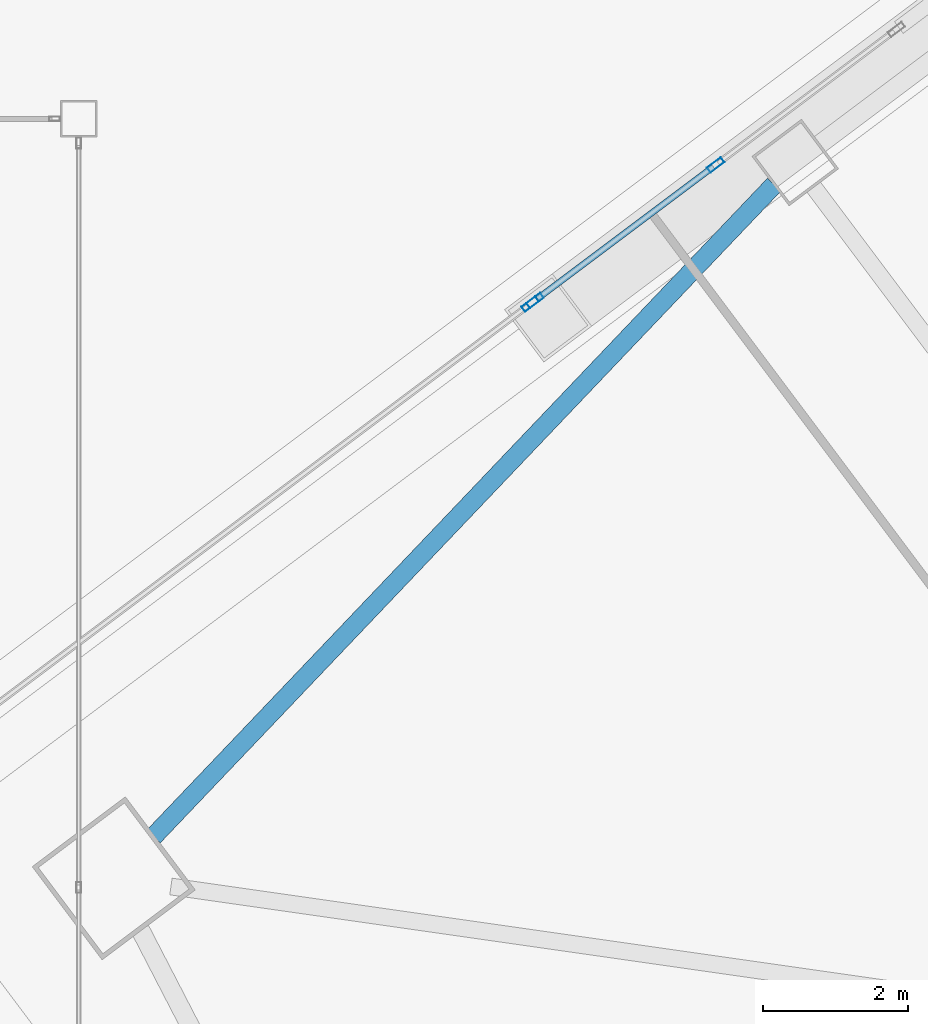
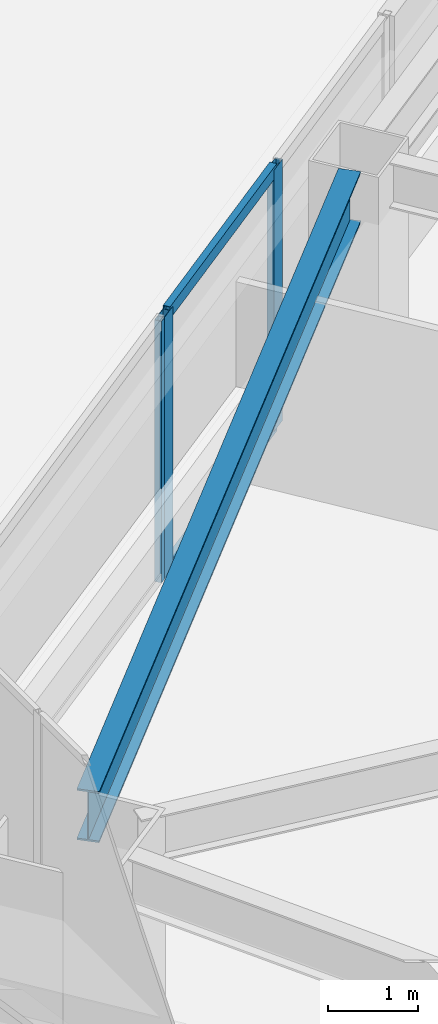
# One storey, part 48 of 83: 5 members, 1 beam, 2 elements without a shape of their own.
"""IFC4 building model written with IfcOpenShell, lengths in metres."""

from ifc_helpers import new_model, si_unit, direction, frame, origin, origin_2d, place, context, subcontext, project, spatial, hollow_rectangle, i_section, extrude, material, material_profile, profile_set, type_object, element, aggregate, save


model = new_model("IFC4")

# Units and contexts
model_context = context("Model", 3, precision=1e-05, world=origin(), true_north=direction((0.0, 1.0)))
body_context = subcontext(model_context, "Body", "Model", "MODEL_VIEW")
ifc_project = project(units=[si_unit("LENGTHUNIT", "METRE"), si_unit("AREAUNIT", "SQUARE_METRE"), si_unit("VOLUMEUNIT", "CUBIC_METRE"), si_unit("PLANEANGLEUNIT", "RADIAN"), si_unit("MASSUNIT", "GRAM", prefix="KILO")], contexts=[model_context])

# Site, building, storey
site_placement = place(None, origin())
site = spatial("IfcSite", under=ifc_project, at=site_placement, CompositionType="ELEMENT")
building_placement = place(site_placement, origin())
building = spatial("IfcBuilding", under=site, at=building_placement, Name="Tashvorn Skyway Center", CompositionType="ELEMENT")
storey_placement = place(building_placement, frame((0.0, 0.0, 24.60009765625)))
storey = spatial("IfcBuildingStorey", under=building, at=storey_placement, Name="L05", CompositionType="ELEMENT", Elevation=24.60009765625)

# Beam
ifc_material_1 = material(Name="Steel ASTM A992 Grade 50", Category="steel")
ifc_material_profile_1 = material_profile(ifc_material_1, i_section(OverallWidth=0.256103515625, OverallDepth=0.693115234375, WebThickness=0.014404296875, FlangeThickness=0.023681640625, at=origin_2d()), Name="W27X114")
ifc_profile_set_1 = profile_set([ifc_material_profile_1], Name="Steel ASTM A992 Grade 50")
beam_type = type_object("IfcBeamType", Name="BM-SPANDREL-W27X114", PredefinedType="SPANDREL", material=ifc_profile_set_1)
beam_placement = place(storey_placement, frame((96.76025390625, 45.2958984375, 3.00341796875), z_axis=(-0.689589637236, -0.724200339835, 0.0), x_axis=(0.724200339835, -0.689589637236, 0.0)))
element("IfcBeam", 1, at=beam_placement, inside=storey, type_object=beam_type, Name="Tower 2 L05 Spandrel Beam 09", PredefinedType="SPANDREL", context=body_context, shape_type="SweptSolid", body=[
    extrude(i_section(OverallWidth=0.256103515625, OverallDepth=0.693115234375, WebThickness=0.014404296875, FlangeThickness=0.023681640625, at=origin_2d()), origin(), (0.0, 0.0, 1.0), 12.37255859375),
])

# Curtain wall, member
ifc_material_2 = material(Name="Thermally broken bronze-anodized aluminium 6063-T6", Category="aluminium")
curtain_wall_type = type_object("IfcCurtainWallType", Name="CW-CW-Z1", PredefinedType="NOTDEFINED", material=ifc_material_2)
curtain_wall_1_placement = place(storey_placement, origin())
curtain_wall_1 = element("IfcCurtainWall", 2, at=curtain_wall_1_placement, inside=storey, type_object=curtain_wall_type, Name="Tower 2 L05 North Unitised Curtain Wall Glazing Group 1", PredefinedType="NOTDEFINED")
ifc_material_profile_2 = material_profile(ifc_material_2, hollow_rectangle(XDim=0.0849609375, YDim=0.239990234375, WallThickness=0.0048828125, at=origin_2d()), Name="ALU-MULL-85x240")
ifc_profile_set_2 = profile_set([ifc_material_profile_2], Name="Thermally broken bronze-anodized aluminium 6063-T6")
member_type_1 = type_object("IfcMemberType", Name="CWM-CW-Z1", PredefinedType="MULLION", material=ifc_profile_set_2)
member_1_placement = place(storey_placement, frame((93.406005859375, 43.654541015625, 0.0), z_axis=(0.0, 0.0, 1.0), x_axis=(-0.600000000002, 0.799999999998, 0.0)))
member_1 = element("IfcMember", 3, at=member_1_placement, type_object=member_type_1, Name="CW-Z1 mullion 2", PredefinedType="MULLION", context=body_context, shape_type="SweptSolid", body=[
    extrude(hollow_rectangle(XDim=0.0849609375, YDim=0.239990234375, WallThickness=0.0048828125, at=origin_2d()), origin(), (0.0, 0.0, 1.0), 3.5498046875),
])
aggregate(curtain_wall_1, [member_1])

# Curtain wall, members
curtain_wall_2_placement = place(storey_placement, origin())
curtain_wall_2 = element("IfcCurtainWall", 4, at=curtain_wall_2_placement, inside=storey, type_object=curtain_wall_type, Name="Tower 2 L05 North Unitised Curtain Wall Glazing Group 2", PredefinedType="NOTDEFINED")
member_2_placement = place(storey_placement, frame((93.47412109375, 43.70556640625, 0.0), z_axis=(0.0, 0.0, 1.0), x_axis=(-0.599997457641, 0.800001906763, 0.0)))
member_2 = element("IfcMember", 5, at=member_2_placement, type_object=member_type_1, Name="CW-Z1 mullion 1", PredefinedType="MULLION", context=body_context, shape_type="SweptSolid", body=[
    extrude(hollow_rectangle(XDim=0.0849609375, YDim=0.239990234375, WallThickness=0.0048828125, at=origin_2d()), origin(), (0.0, 0.0, 1.0), 3.5498046875),
])
member_3_placement = place(storey_placement, frame((95.957275390625, 45.568115234375, 0.0), z_axis=(0.0, 0.0, 1.0), x_axis=(-0.599997457641, 0.800001906763, 0.0)))
member_3 = element("IfcMember", 6, at=member_3_placement, type_object=member_type_1, Name="CW-Z1 mullion 2", PredefinedType="MULLION", context=body_context, shape_type="SweptSolid", body=[
    extrude(hollow_rectangle(XDim=0.0849609375, YDim=0.239990234375, WallThickness=0.0048828125, at=origin_2d()), origin(), (0.0, 0.0, 1.0), 3.5498046875),
])
ifc_material_profile_3 = material_profile(ifc_material_2, hollow_rectangle(XDim=0.0849609375, YDim=0.1650390625, WallThickness=0.0048828125, at=origin_2d()), Name="ALU-TRAN-85x165")
ifc_profile_set_3 = profile_set([ifc_material_profile_3], Name="Thermally broken bronze-anodized aluminium 6063-T6")
member_type_2 = type_object("IfcMemberType", Name="CWT-CW-Z1", PredefinedType="USERDEFINED", material=ifc_profile_set_3)
member_4_placement = place(storey_placement, frame((93.508056640625, 43.73095703125, 0.04248046875), z_axis=(0.799990296182, 0.600012938206, 0.0), x_axis=(-0.600012938206, 0.799990296182, 0.0)))
member_4 = element("IfcMember", 7, at=member_4_placement, type_object=member_type_2, Name="CW-Z1 transom 1.1", ObjectType="TRANSOM", PredefinedType="USERDEFINED", context=body_context, shape_type="SweptSolid", body=[
    extrude(hollow_rectangle(XDim=0.0849609375, YDim=0.1650390625, WallThickness=0.0048828125, at=origin_2d()), origin(), (0.0, 0.0, 1.0), 3.01904296875),
])
member_5_placement = place(storey_placement, frame((93.508056640625, 43.73095703125, 3.50732421875), z_axis=(0.799990296182, 0.600012938206, 0.0), x_axis=(-0.600012938206, 0.799990296182, 0.0)))
member_5 = element("IfcMember", 8, at=member_5_placement, type_object=member_type_2, Name="CW-Z1 transom 1.2", ObjectType="TRANSOM", PredefinedType="USERDEFINED", context=body_context, shape_type="SweptSolid", body=[
    extrude(hollow_rectangle(XDim=0.0849609375, YDim=0.1650390625, WallThickness=0.0048828125, at=origin_2d()), origin(), (0.0, 0.0, 1.0), 3.01904296875),
])
aggregate(curtain_wall_2, [member_2, member_3, member_4, member_5])

save(model, "model.ifc")
